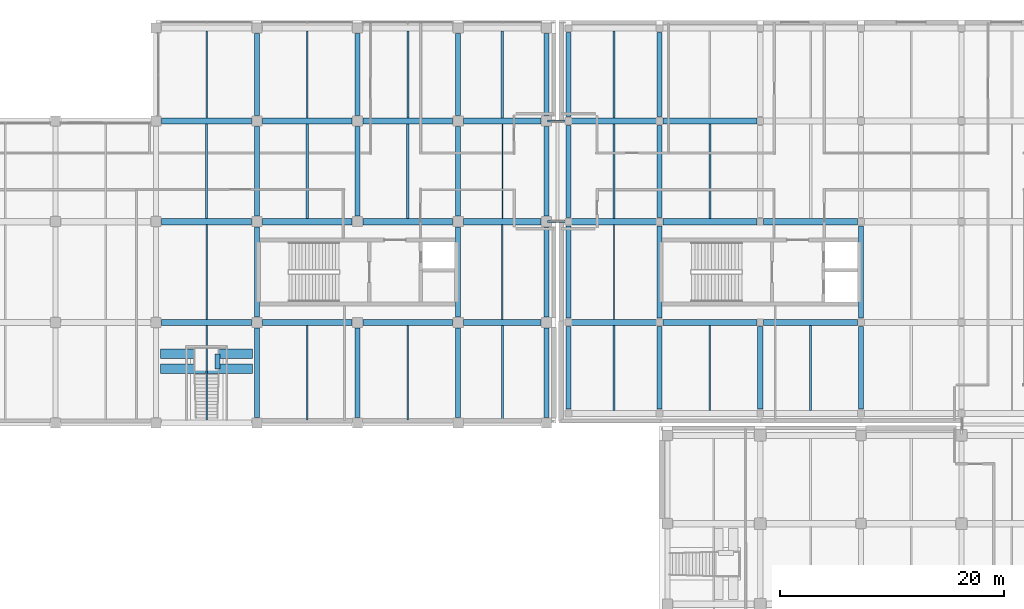
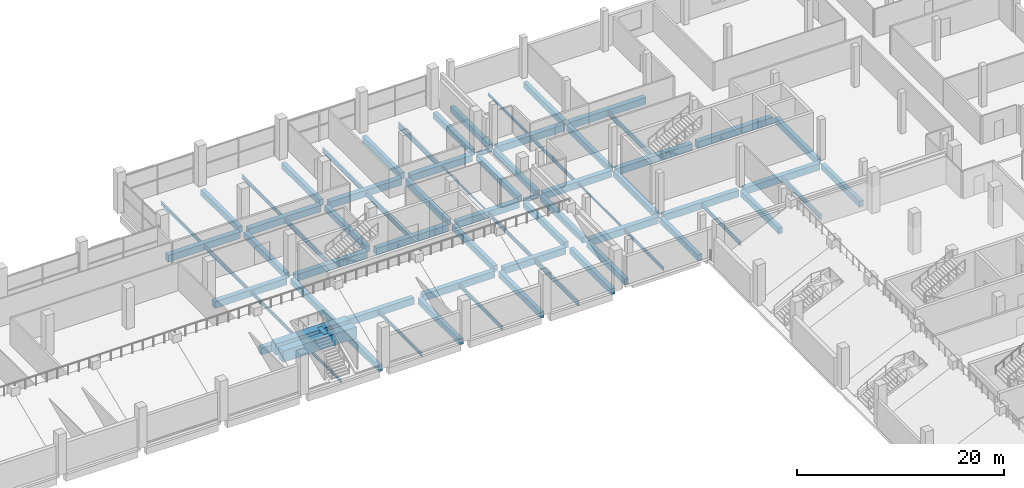
# One storey, part 38 of 100: 72 beams.
"""IFC4 building model written with IfcOpenShell, lengths in metres."""

import ifcopenshell
import ifcopenshell.guid

model = None  # the IFC model being written
_history = None  # IfcOwnerHistory: only IFC2X3 demands one
_inside = {}  # id of a spatial element -> (the spatial element, [elements in it])
_under = {}  # id of a project, library or spatial element -> (it, [spatial elements below it])
_declared = {}  # id of a project -> (the project, [libraries it declares])
_typed = {}  # id of a type object -> (the type object, [elements of that type])
_made_of = {}  # id of a material, layer set ... -> (it, [elements and type objects made of it])


def new_model(schema):
    """Start an empty IFC model of exactly this schema.

    Asked for "IFC4X3", IfcOpenShell would pick the latest addendum, in which some entities
    have other attributes; the version numbers below select the first issue.
    IFC2X3 requires an IfcOwnerHistory on every rooted entity: one is made here for all.
    """
    global model, _history
    if schema == "IFC4X3":
        model = ifcopenshell.file(schema_version=(4, 3, 0, 0))
    else:
        model = ifcopenshell.file(schema=schema)
    _inside.clear()
    _under.clear()
    _declared.clear()
    _typed.clear()
    _made_of.clear()
    _history = None
    if model.schema == "IFC2X3":
        org = make("IfcOrganization", Name="unknown")
        user = make(
            "IfcPersonAndOrganization",
            ThePerson=make("IfcPerson", FamilyName="unknown"),
            TheOrganization=org,
        )
        app = make(
            "IfcApplication",
            ApplicationDeveloper=org,
            Version="unknown",
            ApplicationFullName="unknown",
            ApplicationIdentifier="unknown",
        )
        _history = make(
            "IfcOwnerHistory",
            OwningUser=user,
            OwningApplication=app,
            ChangeAction="ADDED",
            CreationDate=0,
        )
    return model


def make(cls, **values):
    """One entity of the class cls with the attributes given. An attribute that is None is left unset."""
    return model.create_entity(
        cls, **{name: value for name, value in values.items() if value is not None}
    )


def rooted(cls, **values):
    """An entity with a GlobalId (a new one), such as an element, a storey or a relation."""
    return make(cls, GlobalId=ifcopenshell.guid.new(), OwnerHistory=_history, **values)


def si_unit(unit_type, name, prefix=None):
    """IfcSIUnit, for example si_unit("LENGTHUNIT", "METRE", prefix="MILLI")."""
    return make("IfcSIUnit", UnitType=unit_type, Prefix=prefix, Name=name)


def assignment(units):
    """IfcUnitAssignment: the units of a project."""
    return None if units is None else make("IfcUnitAssignment", Units=units)


def point(xyz):
    """IfcCartesianPoint."""
    return None if xyz is None else make("IfcCartesianPoint", Coordinates=xyz)


def direction(xyz):
    """IfcDirection."""
    return None if xyz is None else make("IfcDirection", DirectionRatios=xyz)


def frame(location, z_axis=None, x_axis=None):
    """IfcAxis2Placement3D, a coordinate frame: its origin and axes. An axis left out is left unset."""
    return make(
        "IfcAxis2Placement3D",
        Location=point(location),
        Axis=direction(z_axis),
        RefDirection=direction(x_axis),
    )


def frame_2d(location, x_axis=None):
    """IfcAxis2Placement2D, a coordinate frame in the plane: its origin and x axis."""
    return make(
        "IfcAxis2Placement2D", Location=point(location), RefDirection=direction(x_axis)
    )


def origin():
    """The frame at (0, 0, 0) with its axes left unset."""
    return frame((0.0, 0.0, 0.0))


def origin_2d():
    """The frame at (0, 0) in the plane with its x axis left unset."""
    return frame_2d((0.0, 0.0))


def place(relative_to, where):
    """IfcLocalPlacement: puts the frame where relative to a parent placement (None: the world)."""
    return make(
        "IfcLocalPlacement", PlacementRelTo=relative_to, RelativePlacement=where
    )


def context(
    kind, dimensions, precision=None, world=None, true_north=None, identifier=None
):
    """IfcGeometricRepresentationContext, for example the 3D "Model" context."""
    return make(
        "IfcGeometricRepresentationContext",
        ContextIdentifier=identifier,
        ContextType=kind,
        CoordinateSpaceDimension=dimensions,
        Precision=precision,
        WorldCoordinateSystem=world,
        TrueNorth=true_north,
    )


def subcontext(parent, identifier, kind, view, scale=None):
    """IfcGeometricRepresentationSubContext, for example "Body" below "Model"."""
    return make(
        "IfcGeometricRepresentationSubContext",
        ContextIdentifier=identifier,
        ContextType=kind,
        ParentContext=parent,
        TargetScale=scale,
        TargetView=view,
    )


def project(units=None, contexts=None):
    """IfcProject with its units and contexts."""
    return rooted(
        "IfcProject",
        Name="project",
        RepresentationContexts=contexts,
        UnitsInContext=assignment(units),
    )


def spatial(cls, under=None, at=None, **own):
    """A site, building, storey or space (cls), placed at a placement, below another one or the project."""
    s = rooted(cls, ObjectPlacement=at, **own)
    if under is not None:
        _under.setdefault(under.id(), (under, []))[1].append(s)
    return s


def profile(cls, at=None, kind="AREA", **sizes):
    """A parametric profile (cls). Its sizes go by their IFC names, for example OverallWidth=200.0."""
    return make(cls, ProfileType=kind, Position=at, **sizes)


def rectangle(**sizes):
    """IfcRectangleProfileDef."""
    return profile("IfcRectangleProfileDef", **sizes)


def hollow_rectangle(**sizes):
    """IfcRectangleHollowProfileDef."""
    return profile("IfcRectangleHollowProfileDef", **sizes)


def i_section(**sizes):
    """IfcIShapeProfileDef."""
    return profile("IfcIShapeProfileDef", **sizes)


def extrude(swept, where, along, depth):
    """IfcExtrudedAreaSolid: the profile swept, set in the frame where, extruded along a direction by depth."""
    return make(
        "IfcExtrudedAreaSolid",
        SweptArea=swept,
        Position=where,
        ExtrudedDirection=direction(along),
        Depth=depth,
    )


def shape(context_of_items, identifier, shape_type, items):
    """IfcShapeRepresentation: the items that make up one representation, for example the "Body"."""
    return make(
        "IfcShapeRepresentation",
        ContextOfItems=context_of_items,
        RepresentationIdentifier=identifier,
        RepresentationType=shape_type,
        Items=items,
    )


def material(Name=None, Category=None):
    """IfcMaterial."""
    return make("IfcMaterial", Name=Name, Category=Category)


def material_profile(
    of_material, cross_section, Name=None, Category=None, Priority=None
):
    """IfcMaterialProfile: a cross section and its material."""
    return make(
        "IfcMaterialProfile",
        Name=Name,
        Material=of_material,
        Profile=cross_section,
        Priority=Priority,
        Category=Category,
    )


def profile_set(profiles, Name=None, composite=None):
    """IfcMaterialProfileSet."""
    return make(
        "IfcMaterialProfileSet",
        Name=Name,
        MaterialProfiles=profiles,
        CompositeProfile=composite,
    )


def made_of(thing, what):
    """Note that an element or type object is made of a material, layer set ...; save() writes the relation."""
    if what is not None:
        _made_of.setdefault(what.id(), (what, []))[1].append(thing)
    return thing


def type_object(cls, material=None, **own):
    """A type object (cls), such as IfcWallType, which elements share."""
    return made_of(rooted(cls, **own), material)


def element(
    cls,
    number,
    at=None,
    inside=None,
    cuts=None,
    type_object=None,
    material=None,
    context=None,
    identifier="Body",
    shape_type=None,
    held_by="IfcProductDefinitionShape",
    body=None,
    shapes=None,
    **own,
):
    """One element of the class cls, such as IfcWall. Its Tag is "e" and its number.

    at: its placement. inside: the storey or other place that contains it. cuts: it is an
    opening in that element (IfcRelVoidsElement). A single representation is given by context,
    identifier, shape_type and body (its items); several are given by shapes. held_by: the class
    of the entity that holds the representations. save() writes the other relations.
    """
    e = rooted(cls, Tag="e%d" % number, ObjectPlacement=at, **own)
    if body is not None:
        shapes = [shape(context, identifier, shape_type, body)]
    if shapes is not None:
        e.Representation = make(held_by, Representations=shapes)
    if inside is not None:
        _inside.setdefault(inside.id(), (inside, []))[1].append(e)
    if cuts is not None:
        rooted(
            "IfcRelVoidsElement", RelatingBuildingElement=cuts, RelatedOpeningElement=e
        )
    if type_object is not None:
        _typed.setdefault(type_object.id(), (type_object, []))[1].append(e)
    return made_of(e, material)


def aggregate(whole, parts):
    """IfcRelAggregates: a whole, such as a stair, and the parts it consists of."""
    return rooted("IfcRelAggregates", RelatingObject=whole, RelatedObjects=parts)


def save(model, path):
    """Write the relations noted so far, then the file.

    IfcRelAggregates (storeys below a building ...), IfcRelContainedInSpatialStructure (elements
    in a storey), IfcRelDefinesByType, IfcRelAssociatesMaterial and IfcRelDeclares: one each for
    every whole, place, type object, material and project.
    """
    for whole, parts in _under.values():
        aggregate(whole, parts)
    for where, things in _inside.values():
        rooted(
            "IfcRelContainedInSpatialStructure",
            RelatedElements=things,
            RelatingStructure=where,
        )
    for kind, things in _typed.values():
        rooted("IfcRelDefinesByType", RelatedObjects=things, RelatingType=kind)
    for what, things in _made_of.values():
        rooted("IfcRelAssociatesMaterial", RelatedObjects=things, RelatingMaterial=what)
    for by, libraries in _declared.values():
        rooted("IfcRelDeclares", RelatingContext=by, RelatedDefinitions=libraries)
    model.write(path)


model = new_model("IFC4")

# Units and contexts
model_context = context("Model", 3, precision=1e-05, world=origin(), true_north=direction((0.0, 1.0)))
body_context = subcontext(model_context, "Body", "Model", "MODEL_VIEW")
ifc_project = project(units=[si_unit("LENGTHUNIT", "METRE"), si_unit("AREAUNIT", "SQUARE_METRE"), si_unit("VOLUMEUNIT", "CUBIC_METRE"), si_unit("PLANEANGLEUNIT", "RADIAN"), si_unit("MASSUNIT", "GRAM", prefix="KILO"), si_unit("THERMODYNAMICTEMPERATUREUNIT", "KELVIN"), si_unit("POWERUNIT", "WATT")], contexts=[model_context])

# Site, building, storey
site_placement = place(None, origin())
site = spatial("IfcSite", under=ifc_project, at=site_placement, CompositionType="ELEMENT")
building_placement = place(site_placement, origin())
building = spatial("IfcBuilding", under=site, at=building_placement, Name="Sindhuravela Promenade Stadium", CompositionType="ELEMENT")
storey_placement = place(building_placement, frame((0.0, 0.0, 4.800048828125)))
storey = spatial("IfcBuildingStorey", under=building, at=storey_placement, Name="L01", CompositionType="ELEMENT", Elevation=4.800048828125)

# Beams
ifc_material_1 = material(Name="Concrete M40", Category="concrete")
ifc_material_profile_1 = material_profile(ifc_material_1, rectangle(XDim=0.449951171875, YDim=0.699951171875, at=origin_2d()), Name="RC 450x700")
ifc_profile_set_1 = profile_set([ifc_material_profile_1], Name="Concrete M40")
beam_type_1 = type_object("IfcBeamType", Name="RC-BM-450x700", PredefinedType="BEAM", material=ifc_profile_set_1)
for number, where, z_axis, x_axis, name in (
    (1, (135.0, 126.489990234375, -0.650146484375), (0.0, 1.0, 0.0), (-1.0, 0.0, 0.0), "Primary beam GB07 NORTH L01"),
    (2, (135.0, 135.489990234375, -0.650146484375), (0.0, 1.0, 0.0), (-1.0, 0.0, 0.0), "Primary beam GB07 NORTH L01"),
    (3, (135.0, 144.489990234375, -0.650146484375), (0.0, 1.0, 0.0), (-1.0, 0.0, 0.0), "Primary beam GB07 NORTH L01"),
):
    element("IfcBeam", number, at=place(storey_placement, frame(where, z_axis=z_axis, x_axis=x_axis)), inside=storey, type_object=beam_type_1, Name=name, PredefinedType="BEAM", context=body_context, shape_type="SweptSolid", body=[
        extrude(rectangle(XDim=0.449951171875, YDim=0.699951171875, at=origin_2d()), origin(), (0.0, 0.0, 1.0), 8.02001953125),
    ])
beam_1_placement = place(storey_placement, frame((135.0, 153.489990234375, -0.650146484375), z_axis=(0.0, 1.0, 0.0), x_axis=(-1.0, 0.0, 0.0)))
element("IfcBeam", 4, at=beam_1_placement, inside=storey, type_object=beam_type_1, Name="Primary beam GB07 NORTH L01", PredefinedType="BEAM", context=body_context, shape_type="SweptSolid", body=[
    extrude(rectangle(XDim=0.449951171875, YDim=0.699951171875, at=origin_2d()), origin(), (0.0, 0.0, 1.0), 7.320068359375),
])
for number, where, z_axis, x_axis, name in (
    (5, (144.0, 126.489990234375, -0.650146484375), (0.0, 1.0, 0.0), (-1.0, 0.0, 0.0), "Primary beam GB07 NORTH L01"),
    (6, (144.0, 144.489990234375, -0.650146484375), (0.0, 1.0, 0.0), (-1.0, 0.0, 0.0), "Primary beam GB07 NORTH L01"),
):
    element("IfcBeam", number, at=place(storey_placement, frame(where, z_axis=z_axis, x_axis=x_axis)), inside=storey, type_object=beam_type_1, Name=name, PredefinedType="BEAM", context=body_context, shape_type="SweptSolid", body=[
        extrude(rectangle(XDim=0.449951171875, YDim=0.699951171875, at=origin_2d()), origin(), (0.0, 0.0, 1.0), 8.02001953125),
    ])
beam_2_placement = place(storey_placement, frame((144.0, 153.489990234375, -0.650146484375), z_axis=(0.0, 1.0, 0.0), x_axis=(-1.0, 0.0, 0.0)))
element("IfcBeam", 7, at=beam_2_placement, inside=storey, type_object=beam_type_1, Name="Primary beam GB07 NORTH L01", PredefinedType="BEAM", context=body_context, shape_type="SweptSolid", body=[
    extrude(rectangle(XDim=0.449951171875, YDim=0.699951171875, at=origin_2d()), origin(), (0.0, 0.0, 1.0), 7.320068359375),
])
for number, where, z_axis, x_axis, name in (
    (8, (153.0, 126.489990234375, -0.650146484375), (0.0, 1.0, 0.0), (-1.0, 0.0, 0.0), "Primary beam GB07 NORTH L01"),
    (9, (153.0, 135.489990234375, -0.650146484375), (0.0, 1.0, 0.0), (-1.0, 0.0, 0.0), "Primary beam GB07 NORTH L01"),
    (10, (153.0, 144.489990234375, -0.650146484375), (0.0, 1.0, 0.0), (-1.0, 0.0, 0.0), "Primary beam GB07 NORTH L01"),
):
    element("IfcBeam", number, at=place(storey_placement, frame(where, z_axis=z_axis, x_axis=x_axis)), inside=storey, type_object=beam_type_1, Name=name, PredefinedType="BEAM", context=body_context, shape_type="SweptSolid", body=[
        extrude(rectangle(XDim=0.449951171875, YDim=0.699951171875, at=origin_2d()), origin(), (0.0, 0.0, 1.0), 8.02001953125),
    ])
beam_3_placement = place(storey_placement, frame((153.0, 153.489990234375, -0.650146484375), z_axis=(0.0, 1.0, 0.0), x_axis=(-1.0, 0.0, 0.0)))
element("IfcBeam", 11, at=beam_3_placement, inside=storey, type_object=beam_type_1, Name="Primary beam GB07 NORTH L01", PredefinedType="BEAM", context=body_context, shape_type="SweptSolid", body=[
    extrude(rectangle(XDim=0.449951171875, YDim=0.699951171875, at=origin_2d()), origin(), (0.0, 0.0, 1.0), 7.320068359375),
])
for number, where, z_axis, x_axis, name in (
    (12, (160.89990234375, 126.489990234375, -0.650146484375), (0.0, 1.0, 0.0), (-1.0, 0.0, 0.0), "Primary beam GB07 NORTH L01"),
    (13, (160.89990234375, 135.489990234375, -0.650146484375), (0.0, 1.0, 0.0), (-1.0, 0.0, 0.0), "Primary beam GB07 NORTH L01"),
    (14, (160.89990234375, 144.489990234375, -0.650146484375), (0.0, 1.0, 0.0), (-1.0, 0.0, 0.0), "Primary beam GB07 NORTH L01"),
):
    element("IfcBeam", number, at=place(storey_placement, frame(where, z_axis=z_axis, x_axis=x_axis)), inside=storey, type_object=beam_type_1, Name=name, PredefinedType="BEAM", context=body_context, shape_type="SweptSolid", body=[
        extrude(rectangle(XDim=0.449951171875, YDim=0.699951171875, at=origin_2d()), origin(), (0.0, 0.0, 1.0), 8.02001953125),
    ])
beam_4_placement = place(storey_placement, frame((160.89990234375, 153.489990234375, -0.650146484375), z_axis=(0.0, 1.0, 0.0), x_axis=(-1.0, 0.0, 0.0)))
element("IfcBeam", 15, at=beam_4_placement, inside=storey, type_object=beam_type_1, Name="Primary beam GB07 NORTH L01", PredefinedType="BEAM", context=body_context, shape_type="SweptSolid", body=[
    extrude(rectangle(XDim=0.449951171875, YDim=0.699951171875, at=origin_2d()), origin(), (0.0, 0.0, 1.0), 7.320068359375),
])
beam_5_placement = place(storey_placement, frame((162.85009765625, 127.239990234375, -0.650146484375), z_axis=(0.0, 1.0, 0.0), x_axis=(-1.0, 0.0, 0.0)))
element("IfcBeam", 16, at=beam_5_placement, inside=storey, type_object=beam_type_1, Name="Primary beam GB07 Pavilion NE L01", PredefinedType="BEAM", context=body_context, shape_type="SweptSolid", body=[
    extrude(rectangle(XDim=0.449951171875, YDim=0.699951171875, at=origin_2d()), origin(), (0.0, 0.0, 1.0), 7.3701171875),
])
for number, where, z_axis, x_axis, name in (
    (17, (162.85009765625, 135.389892578125, -0.650146484375), (0.0, 1.0, 0.0), (-1.0, 0.0, 0.0), "Primary beam GB07 Pavilion NE L01"),
    (18, (162.85009765625, 144.389892578125, -0.650146484375), (0.0, 1.0, 0.0), (-1.0, 0.0, 0.0), "Primary beam GB07 Pavilion NE L01"),
):
    element("IfcBeam", number, at=place(storey_placement, frame(where, z_axis=z_axis, x_axis=x_axis)), inside=storey, type_object=beam_type_1, Name=name, PredefinedType="BEAM", context=body_context, shape_type="SweptSolid", body=[
        extrude(rectangle(XDim=0.449951171875, YDim=0.699951171875, at=origin_2d()), origin(), (0.0, 0.0, 1.0), 8.22021484375),
    ])
beam_6_placement = place(storey_placement, frame((162.85009765625, 153.389892578125, -0.650146484375), z_axis=(0.0, 1.0, 0.0), x_axis=(-1.0, 0.0, 0.0)))
element("IfcBeam", 19, at=beam_6_placement, inside=storey, type_object=beam_type_1, Name="Primary beam GB07 Pavilion NE L01", PredefinedType="BEAM", context=body_context, shape_type="SweptSolid", body=[
    extrude(rectangle(XDim=0.449951171875, YDim=0.699951171875, at=origin_2d()), origin(), (0.0, 0.0, 1.0), 7.52001953125),
])
beam_7_placement = place(storey_placement, frame((171.0, 127.239990234375, -0.650146484375), z_axis=(0.0, 1.0, 0.0), x_axis=(-1.0, 0.0, 0.0)))
element("IfcBeam", 20, at=beam_7_placement, inside=storey, type_object=beam_type_1, Name="Primary beam GB07 Pavilion NE L01", PredefinedType="BEAM", context=body_context, shape_type="SweptSolid", body=[
    extrude(rectangle(XDim=0.449951171875, YDim=0.699951171875, at=origin_2d()), origin(), (0.0, 0.0, 1.0), 7.3701171875),
])
for number, where, z_axis, x_axis, name in (
    (21, (171.0, 135.389892578125, -0.650146484375), (0.0, 1.0, 0.0), (-1.0, 0.0, 0.0), "Primary beam GB07 Pavilion NE L01"),
    (22, (171.0, 144.389892578125, -0.650146484375), (0.0, 1.0, 0.0), (-1.0, 0.0, 0.0), "Primary beam GB07 Pavilion NE L01"),
):
    element("IfcBeam", number, at=place(storey_placement, frame(where, z_axis=z_axis, x_axis=x_axis)), inside=storey, type_object=beam_type_1, Name=name, PredefinedType="BEAM", context=body_context, shape_type="SweptSolid", body=[
        extrude(rectangle(XDim=0.449951171875, YDim=0.699951171875, at=origin_2d()), origin(), (0.0, 0.0, 1.0), 8.22021484375),
    ])
beam_8_placement = place(storey_placement, frame((171.0, 153.389892578125, -0.650146484375), z_axis=(0.0, 1.0, 0.0), x_axis=(-1.0, 0.0, 0.0)))
element("IfcBeam", 23, at=beam_8_placement, inside=storey, type_object=beam_type_1, Name="Primary beam GB07 Pavilion NE L01", PredefinedType="BEAM", context=body_context, shape_type="SweptSolid", body=[
    extrude(rectangle(XDim=0.449951171875, YDim=0.699951171875, at=origin_2d()), origin(), (0.0, 0.0, 1.0), 7.52001953125),
])
for number, where, z_axis, x_axis, name in (
    (24, (180.0, 127.239990234375, -0.650146484375), (0.0, 1.0, 0.0), (-1.0, 0.0, 0.0), "Primary beam GB07 Pavilion NE L01"),
    (25, (189.0, 127.239990234375, -0.650146484375), (0.0, 1.0, 0.0), (-1.0, 0.0, 0.0), "Primary beam GB07 Pavilion NE L01"),
):
    element("IfcBeam", number, at=place(storey_placement, frame(where, z_axis=z_axis, x_axis=x_axis)), inside=storey, type_object=beam_type_1, Name=name, PredefinedType="BEAM", context=body_context, shape_type="SweptSolid", body=[
        extrude(rectangle(XDim=0.449951171875, YDim=0.699951171875, at=origin_2d()), origin(), (0.0, 0.0, 1.0), 7.3701171875),
    ])
beam_9_placement = place(storey_placement, frame((189.0, 135.389892578125, -0.650146484375), z_axis=(0.0, 1.0, 0.0), x_axis=(-1.0, 0.0, 0.0)))
element("IfcBeam", 26, at=beam_9_placement, inside=storey, type_object=beam_type_1, Name="Primary beam GB07 Pavilion NE L01", PredefinedType="BEAM", context=body_context, shape_type="SweptSolid", body=[
    extrude(rectangle(XDim=0.449951171875, YDim=0.699951171875, at=origin_2d()), origin(), (0.0, 0.0, 1.0), 8.22021484375),
])
beam_10_placement = place(storey_placement, frame((131.47998046875, 130.840087890625, 1.655029296875), z_axis=(0.0, 1.0, 0.0), x_axis=(-1.0, 0.0, 0.0)))
element("IfcBeam", 27, at=beam_10_placement, inside=storey, type_object=beam_type_1, Name="Vomitory VS10 landing edge stringer", PredefinedType="BEAM", context=body_context, shape_type="SweptSolid", body=[
    extrude(rectangle(XDim=0.449951171875, YDim=0.699951171875, at=origin_2d()), origin(), (0.0, 0.0, 1.0), 1.349853515625),
])
ifc_material_profile_2 = material_profile(ifc_material_1, rectangle(XDim=0.550048828125, YDim=0.800048828125, at=origin_2d()), Name="RC 550x800")
ifc_profile_set_2 = profile_set([ifc_material_profile_2], Name="Concrete M40")
beam_type_2 = type_object("IfcBeamType", Name="RC-BM-550x800", PredefinedType="BEAM", material=ifc_profile_set_2)
for number, where, z_axis, x_axis, name in (
    (28, (126.489990234375, 135.0, -0.699951171875), (1.0, 0.0, 0.0), (0.0, 1.0, 0.0), "Primary girder GB05 NORTH L01"),
    (29, (135.489990234375, 135.0, -0.699951171875), (1.0, 0.0, 0.0), (0.0, 1.0, 0.0), "Primary girder GB05 NORTH L01"),
    (30, (144.489990234375, 135.0, -0.699951171875), (1.0, 0.0, 0.0), (0.0, 1.0, 0.0), "Primary girder GB05 NORTH L01"),
):
    element("IfcBeam", number, at=place(storey_placement, frame(where, z_axis=z_axis, x_axis=x_axis)), inside=storey, type_object=beam_type_2, Name=name, PredefinedType="BEAM", context=body_context, shape_type="SweptSolid", body=[
        extrude(rectangle(XDim=0.550048828125, YDim=0.800048828125, at=origin_2d()), origin(), (0.0, 0.0, 1.0), 8.02001953125),
    ])
beam_11_placement = place(storey_placement, frame((153.489990234375, 135.0, -0.699951171875), z_axis=(1.0, 0.0, 0.0), x_axis=(0.0, 1.0, 0.0)))
element("IfcBeam", 31, at=beam_11_placement, inside=storey, type_object=beam_type_2, Name="Primary girder GB05 NORTH L01", PredefinedType="BEAM", context=body_context, shape_type="SweptSolid", body=[
    extrude(rectangle(XDim=0.550048828125, YDim=0.800048828125, at=origin_2d()), origin(), (0.0, 0.0, 1.0), 6.919921875),
])
for number, where, z_axis, x_axis, name in (
    (32, (126.489990234375, 144.0, -0.699951171875), (1.0, 0.0, 0.0), (0.0, 1.0, 0.0), "Primary girder GB05 NORTH L01"),
    (33, (135.489990234375, 144.0, -0.699951171875), (1.0, 0.0, 0.0), (0.0, 1.0, 0.0), "Primary girder GB05 NORTH L01"),
    (34, (144.489990234375, 144.0, -0.699951171875), (1.0, 0.0, 0.0), (0.0, 1.0, 0.0), "Primary girder GB05 NORTH L01"),
):
    element("IfcBeam", number, at=place(storey_placement, frame(where, z_axis=z_axis, x_axis=x_axis)), inside=storey, type_object=beam_type_2, Name=name, PredefinedType="BEAM", context=body_context, shape_type="SweptSolid", body=[
        extrude(rectangle(XDim=0.550048828125, YDim=0.800048828125, at=origin_2d()), origin(), (0.0, 0.0, 1.0), 8.02001953125),
    ])
beam_12_placement = place(storey_placement, frame((153.489990234375, 144.0, -0.699951171875), z_axis=(1.0, 0.0, 0.0), x_axis=(0.0, 1.0, 0.0)))
element("IfcBeam", 35, at=beam_12_placement, inside=storey, type_object=beam_type_2, Name="Primary girder GB05 NORTH L01", PredefinedType="BEAM", context=body_context, shape_type="SweptSolid", body=[
    extrude(rectangle(XDim=0.550048828125, YDim=0.800048828125, at=origin_2d()), origin(), (0.0, 0.0, 1.0), 6.919921875),
])
for number, where, z_axis, x_axis, name in (
    (36, (126.489990234375, 153.0, -0.699951171875), (1.0, 0.0, 0.0), (0.0, 1.0, 0.0), "Primary girder GB05 NORTH L01"),
    (37, (135.489990234375, 153.0, -0.699951171875), (1.0, 0.0, 0.0), (0.0, 1.0, 0.0), "Primary girder GB05 NORTH L01"),
    (38, (144.489990234375, 153.0, -0.699951171875), (1.0, 0.0, 0.0), (0.0, 1.0, 0.0), "Primary girder GB05 NORTH L01"),
):
    element("IfcBeam", number, at=place(storey_placement, frame(where, z_axis=z_axis, x_axis=x_axis)), inside=storey, type_object=beam_type_2, Name=name, PredefinedType="BEAM", context=body_context, shape_type="SweptSolid", body=[
        extrude(rectangle(XDim=0.550048828125, YDim=0.800048828125, at=origin_2d()), origin(), (0.0, 0.0, 1.0), 8.02001953125),
    ])
beam_13_placement = place(storey_placement, frame((153.489990234375, 153.0, -0.699951171875), z_axis=(1.0, 0.0, 0.0), x_axis=(0.0, 1.0, 0.0)))
element("IfcBeam", 39, at=beam_13_placement, inside=storey, type_object=beam_type_2, Name="Primary girder GB05 NORTH L01", PredefinedType="BEAM", context=body_context, shape_type="SweptSolid", body=[
    extrude(rectangle(XDim=0.550048828125, YDim=0.800048828125, at=origin_2d()), origin(), (0.0, 0.0, 1.0), 6.919921875),
])
beam_14_placement = place(storey_placement, frame((163.139892578125, 135.0, -0.699951171875), z_axis=(1.0, 0.0, 0.0), x_axis=(0.0, 1.0, 0.0)))
element("IfcBeam", 40, at=beam_14_placement, inside=storey, type_object=beam_type_2, Name="Primary girder GB05 Pavilion NE L01", PredefinedType="BEAM", context=body_context, shape_type="SweptSolid", body=[
    extrude(rectangle(XDim=0.550048828125, YDim=0.800048828125, at=origin_2d()), origin(), (0.0, 0.0, 1.0), 7.570068359375),
])
for number, where, z_axis, x_axis, name in (
    (41, (171.2900390625, 135.0, -0.699951171875), (1.0, 0.0, 0.0), (0.0, 1.0, 0.0), "Primary girder GB05 Pavilion NE L01"),
    (42, (180.2900390625, 135.0, -0.699951171875), (1.0, 0.0, 0.0), (0.0, 1.0, 0.0), "Primary girder GB05 Pavilion NE L01"),
):
    element("IfcBeam", number, at=place(storey_placement, frame(where, z_axis=z_axis, x_axis=x_axis)), inside=storey, type_object=beam_type_2, Name=name, PredefinedType="BEAM", context=body_context, shape_type="SweptSolid", body=[
        extrude(rectangle(XDim=0.550048828125, YDim=0.800048828125, at=origin_2d()), origin(), (0.0, 0.0, 1.0), 8.419921875),
    ])
beam_15_placement = place(storey_placement, frame((163.139892578125, 144.0, -0.699951171875), z_axis=(1.0, 0.0, 0.0), x_axis=(0.0, 1.0, 0.0)))
element("IfcBeam", 43, at=beam_15_placement, inside=storey, type_object=beam_type_2, Name="Primary girder GB05 Pavilion NE L01", PredefinedType="BEAM", context=body_context, shape_type="SweptSolid", body=[
    extrude(rectangle(XDim=0.550048828125, YDim=0.800048828125, at=origin_2d()), origin(), (0.0, 0.0, 1.0), 7.570068359375),
])
for number, where, z_axis, x_axis, name in (
    (44, (171.2900390625, 144.0, -0.699951171875), (1.0, 0.0, 0.0), (0.0, 1.0, 0.0), "Primary girder GB05 Pavilion NE L01"),
    (45, (180.2900390625, 144.0, -0.699951171875), (1.0, 0.0, 0.0), (0.0, 1.0, 0.0), "Primary girder GB05 Pavilion NE L01"),
):
    element("IfcBeam", number, at=place(storey_placement, frame(where, z_axis=z_axis, x_axis=x_axis)), inside=storey, type_object=beam_type_2, Name=name, PredefinedType="BEAM", context=body_context, shape_type="SweptSolid", body=[
        extrude(rectangle(XDim=0.550048828125, YDim=0.800048828125, at=origin_2d()), origin(), (0.0, 0.0, 1.0), 8.419921875),
    ])
beam_16_placement = place(storey_placement, frame((163.139892578125, 153.0, -0.699951171875), z_axis=(1.0, 0.0, 0.0), x_axis=(0.0, 1.0, 0.0)))
element("IfcBeam", 46, at=beam_16_placement, inside=storey, type_object=beam_type_2, Name="Primary girder GB05 Pavilion NE L01", PredefinedType="BEAM", context=body_context, shape_type="SweptSolid", body=[
    extrude(rectangle(XDim=0.550048828125, YDim=0.800048828125, at=origin_2d()), origin(), (0.0, 0.0, 1.0), 7.570068359375),
])
beam_17_placement = place(storey_placement, frame((171.2900390625, 153.0, -0.699951171875), z_axis=(1.0, 0.0, 0.0), x_axis=(0.0, 1.0, 0.0)))
element("IfcBeam", 47, at=beam_17_placement, inside=storey, type_object=beam_type_2, Name="Primary girder GB05 Pavilion NE L01", PredefinedType="BEAM", context=body_context, shape_type="SweptSolid", body=[
    extrude(rectangle(XDim=0.550048828125, YDim=0.800048828125, at=origin_2d()), origin(), (0.0, 0.0, 1.0), 8.419921875),
])
ifc_material_2 = material(Name="Concrete M50", Category="concrete")
ifc_material_profile_3 = material_profile(ifc_material_2, rectangle(XDim=0.85009765625, YDim=1.35009765625, at=origin_2d()), Name="RC 850x1350")
ifc_profile_set_3 = profile_set([ifc_material_profile_3], Name="Concrete M50")
beam_type_3 = type_object("IfcBeamType", Name="RC-RK-850x1350", PredefinedType="USERDEFINED", material=ifc_profile_set_3)
for number, where, z_axis, x_axis, name in (
    (48, (126.389892578125, 130.840087890625, 1.329833984375), (1.0, 0.0, 0.0), (0.0, 1.0, 0.0), "Vomitory VS10 landing trimmer beam 1"),
    (49, (126.389892578125, 132.18994140625, 1.329833984375), (1.0, 0.0, 0.0), (0.0, 1.0, 0.0), "Vomitory VS10 landing trimmer beam 2"),
):
    element("IfcBeam", number, at=place(storey_placement, frame(where, z_axis=z_axis, x_axis=x_axis)), inside=storey, type_object=beam_type_3, Name=name, ObjectType="RAKER", PredefinedType="USERDEFINED", context=body_context, shape_type="SweptSolid", body=[
        extrude(rectangle(XDim=0.85009765625, YDim=1.35009765625, at=origin_2d()), origin(), (0.0, 0.0, 1.0), 8.22021484375),
    ])
ifc_material_3 = material(Name="Steel E350 (IS 2062 E350BR)", Category="steel")
ifc_material_profile_4 = material_profile(ifc_material_3, hollow_rectangle(XDim=0.10009765625, YDim=0.199951171875, WallThickness=0.008056640625, at=origin_2d()), Name="RHS 200x100x8")
ifc_profile_set_4 = profile_set([ifc_material_profile_4], Name="Steel E350 (IS 2062 E350BR)")
beam_type_4 = type_object("IfcBeamType", Name="ST-BM-LNT200", PredefinedType="LINTEL", material=ifc_profile_set_4)
beam_18_placement = place(storey_placement, frame((156.949951171875, 144.264892578125, -0.400146484375), z_axis=(0.0, 1.0, 0.0), x_axis=(-1.0, 0.0, 0.0)))
element("IfcBeam", 50, at=beam_18_placement, inside=storey, type_object=beam_type_4, Name="Secondary floor joist LN01 NORTH L01", PredefinedType="LINTEL", context=body_context, shape_type="SweptSolid", body=[
    extrude(hollow_rectangle(XDim=0.10009765625, YDim=0.199951171875, WallThickness=0.008056640625, at=origin_2d()), origin(), (0.0, 0.0, 1.0), 8.47021484375),
])
ifc_material_profile_5 = material_profile(ifc_material_3, i_section(OverallWidth=0.125, OverallDepth=0.25, WebThickness=0.0068359375, FlangeThickness=0.012451171875, FilletRadius=0.012939453125, at=origin_2d()), Name="ISMB 250")
ifc_profile_set_5 = profile_set([ifc_material_profile_5], Name="Steel E350 (IS 2062 E350BR)")
beam_type_5 = type_object("IfcBeamType", Name="ST-BM-MB250", PredefinedType="JOIST", material=ifc_profile_set_5)
beam_19_placement = place(storey_placement, frame((166.925048828125, 135.264892578125, -0.425048828125), z_axis=(0.0, 1.0, 0.0), x_axis=(-1.0, 0.0, 0.0)))
element("IfcBeam", 51, at=beam_19_placement, inside=storey, type_object=beam_type_5, Name="Secondary floor joist SB02 Pavilion NE L01", PredefinedType="JOIST", context=body_context, shape_type="SweptSolid", body=[
    extrude(i_section(OverallWidth=0.125, OverallDepth=0.25, WebThickness=0.0068359375, FlangeThickness=0.012451171875, FilletRadius=0.012939453125, at=origin_2d()), origin(), (0.0, 0.0, 1.0), 8.47021484375),
])
ifc_material_profile_6 = material_profile(ifc_material_3, i_section(OverallWidth=0.139892578125, OverallDepth=0.300048828125, WebThickness=0.0078125, FlangeThickness=0.01318359375, FilletRadius=0.013916015625, at=origin_2d()), Name="ISMB 300")
ifc_profile_set_6 = profile_set([ifc_material_profile_6], Name="Steel E350 (IS 2062 E350BR)")
beam_type_6 = type_object("IfcBeamType", Name="ST-BM-MB300", PredefinedType="JOIST", material=ifc_profile_set_6)
beam_20_placement = place(storey_placement, frame((166.925048828125, 153.264892578125, -0.449951171875), z_axis=(0.0, 1.0, 0.0), x_axis=(-1.0, 0.0, 0.0)))
element("IfcBeam", 52, at=beam_20_placement, inside=storey, type_object=beam_type_6, Name="Secondary floor joist SB03 Pavilion NE L01", PredefinedType="JOIST", context=body_context, shape_type="SweptSolid", body=[
    extrude(i_section(OverallWidth=0.139892578125, OverallDepth=0.300048828125, WebThickness=0.0078125, FlangeThickness=0.01318359375, FilletRadius=0.013916015625, at=origin_2d()), origin(), (0.0, 0.0, 1.0), 7.77001953125),
])
ifc_material_profile_7 = material_profile(ifc_material_3, i_section(OverallWidth=0.139892578125, OverallDepth=0.35009765625, WebThickness=0.008056640625, FlangeThickness=0.01416015625, FilletRadius=0.013916015625, at=origin_2d()), Name="ISMB 350")
ifc_profile_set_7 = profile_set([ifc_material_profile_7], Name="Steel E350 (IS 2062 E350BR)")
beam_type_7 = type_object("IfcBeamType", Name="ST-BM-MB350", PredefinedType="JOIST", material=ifc_profile_set_7)
beam_21_placement = place(storey_placement, frame((130.5, 126.264892578125, -0.47509765625), z_axis=(0.0, 1.0, 0.0), x_axis=(-1.0, 0.0, 0.0)))
element("IfcBeam", 53, at=beam_21_placement, inside=storey, type_object=beam_type_7, Name="Secondary floor joist SB04 NORTH L01", PredefinedType="JOIST", context=body_context, shape_type="SweptSolid", body=[
    extrude(i_section(OverallWidth=0.139892578125, OverallDepth=0.35009765625, WebThickness=0.008056640625, FlangeThickness=0.01416015625, FilletRadius=0.013916015625, at=origin_2d()), origin(), (0.0, 0.0, 1.0), 8.47021484375),
])
ifc_material_profile_8 = material_profile(ifc_material_3, i_section(OverallWidth=0.139892578125, OverallDepth=0.39990234375, WebThickness=0.0087890625, FlangeThickness=0.01611328125, FilletRadius=0.013916015625, at=origin_2d()), Name="ISMB 400")
ifc_profile_set_8 = profile_set([ifc_material_profile_8], Name="Steel E350 (IS 2062 E350BR)")
beam_type_8 = type_object("IfcBeamType", Name="ST-BM-MB400", PredefinedType="BEAM", material=ifc_profile_set_8)
for number, where, z_axis, x_axis, name in (
    (54, (139.5, 126.264892578125, -0.5), (0.0, 1.0, 0.0), (-1.0, 0.0, 0.0), "Secondary floor joist SB05 NORTH L01"),
    (55, (130.5, 135.264892578125, -0.5), (0.0, 1.0, 0.0), (-1.0, 0.0, 0.0), "Secondary floor joist SB05 NORTH L01"),
):
    element("IfcBeam", number, at=place(storey_placement, frame(where, z_axis=z_axis, x_axis=x_axis)), inside=storey, type_object=beam_type_8, Name=name, PredefinedType="BEAM", context=body_context, shape_type="SweptSolid", body=[
        extrude(i_section(OverallWidth=0.139892578125, OverallDepth=0.39990234375, WebThickness=0.0087890625, FlangeThickness=0.01611328125, FilletRadius=0.013916015625, at=origin_2d()), origin(), (0.0, 0.0, 1.0), 8.47021484375),
    ])
beam_22_placement = place(storey_placement, frame((130.5, 153.264892578125, -0.5), z_axis=(0.0, 1.0, 0.0), x_axis=(-1.0, 0.0, 0.0)))
element("IfcBeam", 56, at=beam_22_placement, inside=storey, type_object=beam_type_8, Name="Secondary floor joist SB05 NORTH L01", PredefinedType="BEAM", context=body_context, shape_type="SweptSolid", body=[
    extrude(i_section(OverallWidth=0.139892578125, OverallDepth=0.39990234375, WebThickness=0.0087890625, FlangeThickness=0.01611328125, FilletRadius=0.013916015625, at=origin_2d()), origin(), (0.0, 0.0, 1.0), 7.77001953125),
])
beam_23_placement = place(storey_placement, frame((166.925048828125, 127.114990234375, -0.5), z_axis=(0.0, 1.0, 0.0), x_axis=(-1.0, 0.0, 0.0)))
element("IfcBeam", 57, at=beam_23_placement, inside=storey, type_object=beam_type_8, Name="Secondary floor joist SB05 Pavilion NE L01", PredefinedType="BEAM", context=body_context, shape_type="SweptSolid", body=[
    extrude(i_section(OverallWidth=0.139892578125, OverallDepth=0.39990234375, WebThickness=0.0087890625, FlangeThickness=0.01611328125, FilletRadius=0.013916015625, at=origin_2d()), origin(), (0.0, 0.0, 1.0), 7.6201171875),
])
ifc_material_profile_9 = material_profile(ifc_material_3, i_section(OverallWidth=0.14990234375, OverallDepth=0.449951171875, WebThickness=0.009521484375, FlangeThickness=0.017333984375, FilletRadius=0.014892578125, at=origin_2d()), Name="ISMB 450")
ifc_profile_set_9 = profile_set([ifc_material_profile_9], Name="Steel E350 (IS 2062 E350BR)")
beam_type_9 = type_object("IfcBeamType", Name="ST-BM-MB450", PredefinedType="BEAM", material=ifc_profile_set_9)
for number, where, z_axis, x_axis, name in (
    (58, (148.5, 126.264892578125, -0.525146484375), (0.0, 1.0, 0.0), (-1.0, 0.0, 0.0), "Secondary floor joist SB06 NORTH L01"),
    (59, (156.949951171875, 135.264892578125, -0.525146484375), (0.0, 1.0, 0.0), (-1.0, 0.0, 0.0), "Secondary floor joist SB06 NORTH L01"),
    (60, (130.5, 144.264892578125, -0.525146484375), (0.0, 1.0, 0.0), (-1.0, 0.0, 0.0), "Secondary floor joist SB06 NORTH L01"),
):
    element("IfcBeam", number, at=place(storey_placement, frame(where, z_axis=z_axis, x_axis=x_axis)), inside=storey, type_object=beam_type_9, Name=name, PredefinedType="BEAM", context=body_context, shape_type="SweptSolid", body=[
        extrude(i_section(OverallWidth=0.14990234375, OverallDepth=0.449951171875, WebThickness=0.009521484375, FlangeThickness=0.017333984375, FilletRadius=0.014892578125, at=origin_2d()), origin(), (0.0, 0.0, 1.0), 8.47021484375),
    ])
beam_24_placement = place(storey_placement, frame((139.5, 153.264892578125, -0.525146484375), z_axis=(0.0, 1.0, 0.0), x_axis=(-1.0, 0.0, 0.0)))
element("IfcBeam", 61, at=beam_24_placement, inside=storey, type_object=beam_type_9, Name="Secondary floor joist SB06 NORTH L01", PredefinedType="BEAM", context=body_context, shape_type="SweptSolid", body=[
    extrude(i_section(OverallWidth=0.14990234375, OverallDepth=0.449951171875, WebThickness=0.009521484375, FlangeThickness=0.017333984375, FilletRadius=0.014892578125, at=origin_2d()), origin(), (0.0, 0.0, 1.0), 7.77001953125),
])
beam_25_placement = place(storey_placement, frame((175.5, 127.114990234375, -0.525146484375), z_axis=(0.0, 1.0, 0.0), x_axis=(-1.0, 0.0, 0.0)))
element("IfcBeam", 62, at=beam_25_placement, inside=storey, type_object=beam_type_9, Name="Secondary floor joist SB06 Pavilion NE L01", PredefinedType="BEAM", context=body_context, shape_type="SweptSolid", body=[
    extrude(i_section(OverallWidth=0.14990234375, OverallDepth=0.449951171875, WebThickness=0.009521484375, FlangeThickness=0.017333984375, FilletRadius=0.014892578125, at=origin_2d()), origin(), (0.0, 0.0, 1.0), 7.6201171875),
])
beam_26_placement = place(storey_placement, frame((166.925048828125, 144.264892578125, -0.525146484375), z_axis=(0.0, 1.0, 0.0), x_axis=(-1.0, 0.0, 0.0)))
element("IfcBeam", 63, at=beam_26_placement, inside=storey, type_object=beam_type_9, Name="Secondary floor joist SB06 Pavilion NE L01", PredefinedType="BEAM", context=body_context, shape_type="SweptSolid", body=[
    extrude(i_section(OverallWidth=0.14990234375, OverallDepth=0.449951171875, WebThickness=0.009521484375, FlangeThickness=0.017333984375, FilletRadius=0.014892578125, at=origin_2d()), origin(), (0.0, 0.0, 1.0), 8.47021484375),
])
ifc_material_profile_10 = material_profile(ifc_material_3, i_section(OverallWidth=0.179931640625, OverallDepth=0.5, WebThickness=0.01025390625, FlangeThickness=0.01708984375, FilletRadius=0.01708984375, at=origin_2d()), Name="ISMB 500")
ifc_profile_set_10 = profile_set([ifc_material_profile_10], Name="Steel E350 (IS 2062 E350BR)")
beam_type_10 = type_object("IfcBeamType", Name="ST-BM-MB500", PredefinedType="BEAM", material=ifc_profile_set_10)
for number, where, z_axis, x_axis, name in (
    (64, (161.0, 144.0, -0.610107421875), (1.0, 0.0, 0.0), (0.0, 1.0, 0.0), "Concourse link bridge L01 North-NE PTFE sliding girder B"),
    (65, (161.0, 153.0, -0.610107421875), (1.0, 0.0, 0.0), (0.0, 1.0, 0.0), "Concourse link bridge L01 North-NE PTFE sliding girder T"),
):
    element("IfcBeam", number, at=place(storey_placement, frame(where, z_axis=z_axis, x_axis=x_axis)), inside=storey, type_object=beam_type_10, Name=name, PredefinedType="BEAM", context=body_context, shape_type="SweptSolid", body=[
        extrude(i_section(OverallWidth=0.179931640625, OverallDepth=0.5, WebThickness=0.01025390625, FlangeThickness=0.01708984375, FilletRadius=0.01708984375, at=origin_2d()), origin(), (0.0, 0.0, 1.0), 1.75),
    ])
ifc_material_profile_11 = material_profile(ifc_material_3, i_section(OverallWidth=0.18994140625, OverallDepth=0.550048828125, WebThickness=0.01123046875, FlangeThickness=0.019287109375, FilletRadius=0.01806640625, at=origin_2d()), Name="ISMB 550")
ifc_profile_set_11 = profile_set([ifc_material_profile_11], Name="Steel E350 (IS 2062 E350BR)")
beam_type_11 = type_object("IfcBeamType", Name="ST-BM-MB550", PredefinedType="SPANDREL", material=ifc_profile_set_11)
for number, where, z_axis, x_axis, name in (
    (66, (156.949951171875, 126.264892578125, -0.574951171875), (0.0, 1.0, 0.0), (-1.0, 0.0, 0.0), "Secondary floor joist SB08 NORTH L01"),
    (67, (139.5, 144.264892578125, -0.574951171875), (0.0, 1.0, 0.0), (-1.0, 0.0, 0.0), "Secondary floor joist SB08 NORTH L01"),
):
    element("IfcBeam", number, at=place(storey_placement, frame(where, z_axis=z_axis, x_axis=x_axis)), inside=storey, type_object=beam_type_11, Name=name, PredefinedType="SPANDREL", context=body_context, shape_type="SweptSolid", body=[
        extrude(i_section(OverallWidth=0.18994140625, OverallDepth=0.550048828125, WebThickness=0.01123046875, FlangeThickness=0.019287109375, FilletRadius=0.01806640625, at=origin_2d()), origin(), (0.0, 0.0, 1.0), 8.47021484375),
    ])
beam_27_placement = place(storey_placement, frame((148.5, 153.264892578125, -0.574951171875), z_axis=(0.0, 1.0, 0.0), x_axis=(-1.0, 0.0, 0.0)))
element("IfcBeam", 68, at=beam_27_placement, inside=storey, type_object=beam_type_11, Name="Secondary floor joist SB08 NORTH L01", PredefinedType="SPANDREL", context=body_context, shape_type="SweptSolid", body=[
    extrude(i_section(OverallWidth=0.18994140625, OverallDepth=0.550048828125, WebThickness=0.01123046875, FlangeThickness=0.019287109375, FilletRadius=0.01806640625, at=origin_2d()), origin(), (0.0, 0.0, 1.0), 7.77001953125),
])
beam_28_placement = place(storey_placement, frame((184.5, 127.114990234375, -0.574951171875), z_axis=(0.0, 1.0, 0.0), x_axis=(-1.0, 0.0, 0.0)))
element("IfcBeam", 69, at=beam_28_placement, inside=storey, type_object=beam_type_11, Name="Secondary floor joist SB08 Pavilion NE L01", PredefinedType="SPANDREL", context=body_context, shape_type="SweptSolid", body=[
    extrude(i_section(OverallWidth=0.18994140625, OverallDepth=0.550048828125, WebThickness=0.01123046875, FlangeThickness=0.019287109375, FilletRadius=0.01806640625, at=origin_2d()), origin(), (0.0, 0.0, 1.0), 7.6201171875),
])
beam_29_placement = place(storey_placement, frame((175.5, 144.264892578125, -0.574951171875), z_axis=(0.0, 1.0, 0.0), x_axis=(-1.0, 0.0, 0.0)))
element("IfcBeam", 70, at=beam_29_placement, inside=storey, type_object=beam_type_11, Name="Secondary floor joist SB08 Pavilion NE L01", PredefinedType="SPANDREL", context=body_context, shape_type="SweptSolid", body=[
    extrude(i_section(OverallWidth=0.18994140625, OverallDepth=0.550048828125, WebThickness=0.01123046875, FlangeThickness=0.019287109375, FilletRadius=0.01806640625, at=origin_2d()), origin(), (0.0, 0.0, 1.0), 8.47021484375),
])
ifc_material_profile_12 = material_profile(ifc_material_3, i_section(OverallWidth=0.2099609375, OverallDepth=0.60009765625, WebThickness=0.011962890625, FlangeThickness=0.020751953125, FilletRadius=0.02001953125, at=origin_2d()), Name="ISMB 600")
ifc_profile_set_12 = profile_set([ifc_material_profile_12], Name="Steel E350 (IS 2062 E350BR)")
beam_type_12 = type_object("IfcBeamType", Name="ST-BM-MB600", PredefinedType="BEAM", material=ifc_profile_set_12)
beam_30_placement = place(storey_placement, frame((148.5, 144.264892578125, -0.60009765625), z_axis=(0.0, 1.0, 0.0), x_axis=(-1.0, 0.0, 0.0)))
element("IfcBeam", 71, at=beam_30_placement, inside=storey, type_object=beam_type_12, Name="Secondary floor joist SB09 NORTH L01", PredefinedType="BEAM", context=body_context, shape_type="SweptSolid", body=[
    extrude(i_section(OverallWidth=0.2099609375, OverallDepth=0.60009765625, WebThickness=0.011962890625, FlangeThickness=0.020751953125, FilletRadius=0.02001953125, at=origin_2d()), origin(), (0.0, 0.0, 1.0), 8.47021484375),
])
beam_31_placement = place(storey_placement, frame((156.949951171875, 153.264892578125, -0.60009765625), z_axis=(0.0, 1.0, 0.0), x_axis=(-1.0, 0.0, 0.0)))
element("IfcBeam", 72, at=beam_31_placement, inside=storey, type_object=beam_type_12, Name="Secondary floor joist SB09 NORTH L01", PredefinedType="BEAM", context=body_context, shape_type="SweptSolid", body=[
    extrude(i_section(OverallWidth=0.2099609375, OverallDepth=0.60009765625, WebThickness=0.011962890625, FlangeThickness=0.020751953125, FilletRadius=0.02001953125, at=origin_2d()), origin(), (0.0, 0.0, 1.0), 7.77001953125),
])

save(model, "model.ifc")
